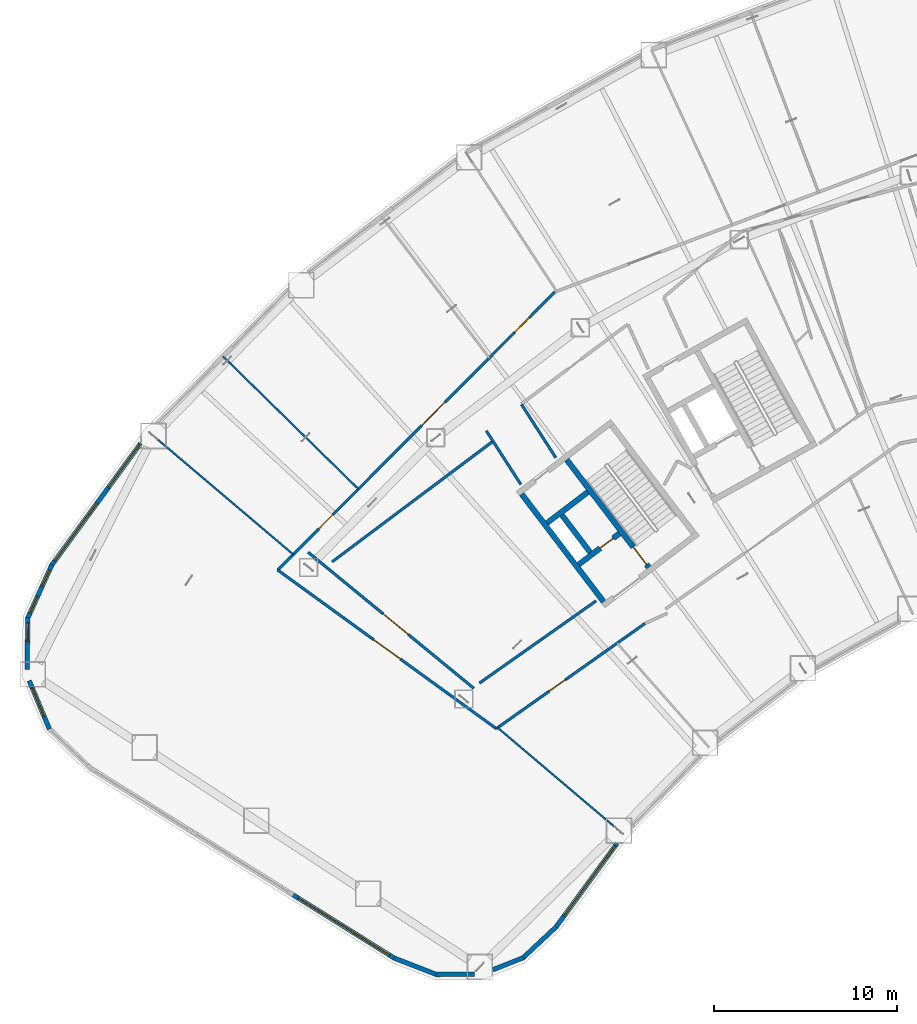
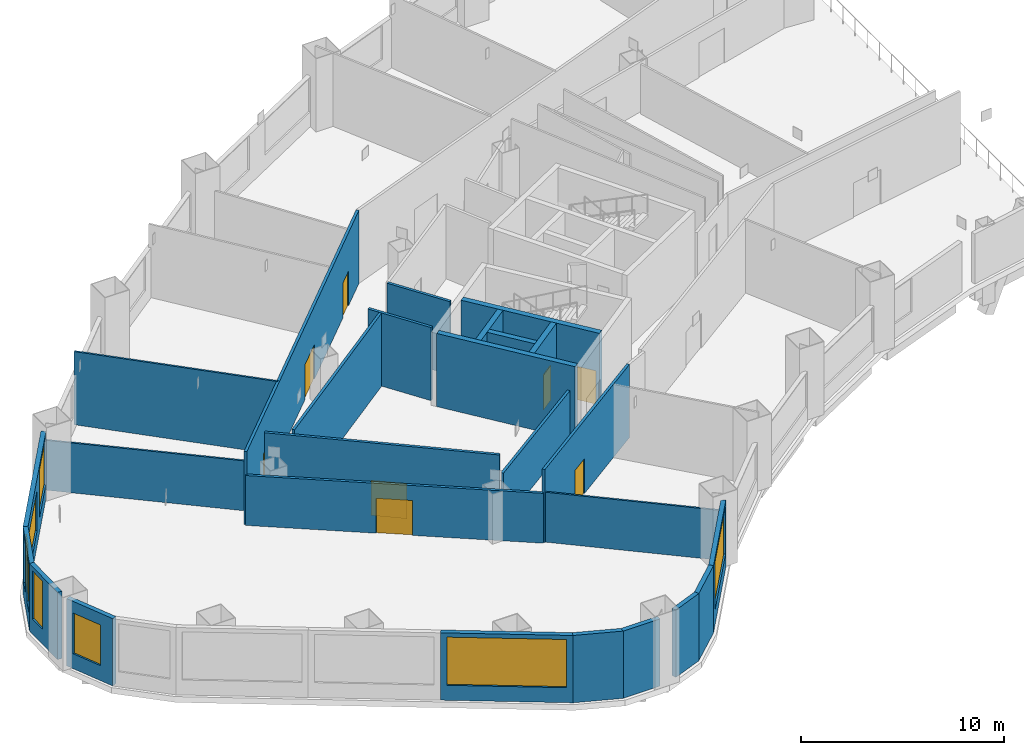
# One storey, part 6 of 24: 26 walls, 8 doors, 8 windows, 16 openings.
"""IFC4 building model written with IfcOpenShell, lengths in metres."""

from ifc_helpers import new_model, si_unit, direction, frame, frame_2d, origin, place, context, subcontext, project, spatial, rectangle, extrude, material, layer, layer_set, type_object, element, fill, save


model = new_model("IFC4")

# Units and contexts
model_context = context("Model", 3, precision=1e-05, world=origin(), true_north=direction((0.0, 1.0)))
body_context = subcontext(model_context, "Body", "Model", "MODEL_VIEW")
ifc_project = project(units=[si_unit("LENGTHUNIT", "METRE"), si_unit("AREAUNIT", "SQUARE_METRE"), si_unit("VOLUMEUNIT", "CUBIC_METRE"), si_unit("PLANEANGLEUNIT", "RADIAN"), si_unit("MASSUNIT", "GRAM", prefix="KILO")], contexts=[model_context])

# Site, building, storey
site_placement = place(None, origin())
site = spatial("IfcSite", under=ifc_project, at=site_placement, CompositionType="ELEMENT")
building_placement = place(site_placement, origin())
building = spatial("IfcBuilding", under=site, at=building_placement, Name="Tuul Gate Civic Tower", CompositionType="ELEMENT")
storey_placement = place(building_placement, frame((0.0, 0.0, 21.89990234375)))
storey = spatial("IfcBuildingStorey", under=building, at=storey_placement, Name="Level 04", CompositionType="ELEMENT", Elevation=21.89990234375)

# Wall, opening, door
ifc_material_1 = material(Name="Concrete C50/60", Category="concrete")
ifc_layer_1 = layer(ifc_material_1, 0.300048828125)
ifc_layer_set_1 = layer_set([ifc_layer_1], Name="Concrete C50/60")
wall_type_1 = type_object("IfcWallType", Name="Core wall C50/60", PredefinedType="SHEAR", material=ifc_layer_set_1)
wall_1_placement = place(storey_placement, frame((-35.470947265625, -13.66064453125, 0.0), z_axis=(0.0, 0.0, 1.0), x_axis=(-0.795615822227, -0.605801504968, 0.0)))
wall_1 = element("IfcWall", 1, at=wall_1_placement, inside=storey, type_object=wall_type_1, Name="Core wall", PredefinedType="SHEAR", context=body_context, shape_type="SweptSolid", body=[
    extrude(rectangle(XDim=2.800048828125, YDim=0.300048828125, at=frame_2d((1.39990234375, 0.0))), origin(), (0.0, 0.0, 1.0), 4.400146484375),
])
opening_1_placement = place(wall_1_placement, frame((0.425048828125, 0.0, 0.0)))
opening_1 = element("IfcOpeningElement", 2, at=opening_1_placement, cuts=wall_1, Name="Opening FB-W1A1", PredefinedType="OPENING", context=body_context, shape_type="SweptSolid", body=[
    extrude(rectangle(XDim=0.89990234375, YDim=2.10009765625, at=frame_2d((0.449951171875, 1.050048828125))), frame((0.0, 0.16015625, 0.0), z_axis=(0.0, -1.0, 0.0), x_axis=(1.0, 0.0, 0.0)), (0.0, 0.0, 1.0), 0.320068359375),
])
ifc_material_2 = material(Name="Steel", Category="steel")
door_type_1 = type_object("IfcDoorType", Name="Store door", OperationType="NOTDEFINED", PredefinedType="DOOR", material=ifc_material_2)
door_1_placement = place(opening_1_placement, frame((0.89990234375, 0.0, 0.0), z_axis=(0.0, 0.0, 1.0), x_axis=(-1.0, 0.0, 0.0)))
door_1 = element("IfcDoor", 3, at=door_1_placement, inside=storey, type_object=door_type_1, Name="Store door W1A1", OperationType="SINGLE_SWING_RIGHT", OverallHeight=2.10009765625, OverallWidth=0.89990234375, PredefinedType="DOOR", context=body_context, shape_type="SweptSolid", body=[
    extrude(rectangle(XDim=0.89990234375, YDim=2.10009765625, at=frame_2d((0.449951171875, 1.050048828125))), frame((0.0, 0.02490234375, 0.0), z_axis=(0.0, -1.0, 0.0), x_axis=(1.0, 0.0, 0.0)), (0.0, 0.0, 1.0), 0.050048828125),
])
fill(opening_1, door_1)

# Wall
wall_2_placement = place(storey_placement, frame((-37.197509765625, -11.39306640625, 0.0), z_axis=(0.0, 0.0, 1.0), x_axis=(-0.795583820278, -0.605843531707, 0.0)))
element("IfcWall", 4, at=wall_2_placement, inside=storey, type_object=wall_type_1, Name="Core wall", PredefinedType="SHEAR", context=body_context, shape_type="SweptSolid", body=[
    extrude(rectangle(XDim=2.7998046875, YDim=0.300048828125, at=frame_2d((1.39990234375, 0.0))), origin(), (0.0, 0.0, 1.0), 4.400146484375),
])

# Wall, opening, door
wall_3_placement = place(storey_placement, frame((-33.867431640625, -15.51904296875, 0.0), z_axis=(0.0, 0.0, 1.0), x_axis=(-0.605769822278, 0.795639945213, 0.0)))
wall_3 = element("IfcWall", 5, at=wall_3_placement, inside=storey, type_object=wall_type_1, Name="Core wall", PredefinedType="SHEAR", context=body_context, shape_type="SweptSolid", body=[
    extrude(rectangle(XDim=7.39990234375, YDim=0.300048828125, at=frame_2d((3.699951171875, 0.0))), origin(), (0.0, 0.0, 1.0), 4.400146484375),
])
opening_2_placement = place(wall_3_placement, frame((0.199951171875, 0.0, 0.0)))
opening_2 = element("IfcOpeningElement", 6, at=opening_2_placement, cuts=wall_3, Name="Opening SD-ST-1", PredefinedType="OPENING", context=body_context, shape_type="SweptSolid", body=[
    extrude(rectangle(XDim=1.199951171875, YDim=2.10009765625, at=frame_2d((0.60009765625, 1.050048828125))), frame((0.0, 0.16015625, 0.0), z_axis=(0.0, -1.0, 0.0), x_axis=(1.0, 0.0, 0.0)), (0.0, 0.0, 1.0), 0.320068359375),
])
ifc_material_3 = material(Name="Steel", Category="steel")
door_type_2 = type_object("IfcDoorType", Name="Stair door", OperationType="NOTDEFINED", PredefinedType="DOOR", material=ifc_material_3)
door_2_placement = place(opening_2_placement, origin())
door_2 = element("IfcDoor", 7, at=door_2_placement, inside=storey, type_object=door_type_2, Name="Stair door ST-1", OperationType="SINGLE_SWING_LEFT", OverallHeight=2.10009765625, OverallWidth=1.199951171875, PredefinedType="DOOR", context=body_context, shape_type="SweptSolid", body=[
    extrude(rectangle(XDim=1.199951171875, YDim=2.10009765625, at=frame_2d((0.60009765625, 1.050048828125))), frame((0.0, 0.02490234375, 0.0), z_axis=(0.0, -1.0, 0.0), x_axis=(1.0, 0.0, 0.0)), (0.0, 0.0, 1.0), 0.050048828125),
])
fill(opening_2, door_2)

# Walls
wall_4_placement = place(storey_placement, frame((-37.073486328125, -14.6923828125, 0.0), z_axis=(0.0, 0.0, 1.0), x_axis=(-0.605728760074, 0.79567120673, 0.0)))
element("IfcWall", 8, at=wall_4_placement, inside=storey, type_object=wall_type_1, Name="Core wall", PredefinedType="SHEAR", context=body_context, shape_type="SweptSolid", body=[
    extrude(rectangle(XDim=2.550048828125, YDim=0.300048828125, at=frame_2d((1.27490234375, 0.0))), origin(), (0.0, 0.0, 1.0), 4.400146484375),
])
wall_5_placement = place(storey_placement, frame((-36.333984375, -17.397216796875, 0.0), z_axis=(0.0, 0.0, 1.0), x_axis=(-0.605753921168, 0.795652051458, 0.0)))
element("IfcWall", 9, at=wall_5_placement, inside=storey, type_object=wall_type_1, Name="Core wall", PredefinedType="SHEAR", context=body_context, shape_type="SweptSolid", body=[
    extrude(rectangle(XDim=7.400146484375, YDim=0.300048828125, at=frame_2d((3.7001953125, 0.0))), origin(), (0.0, 0.0, 1.0), 4.400146484375),
])

# Wall, openings, doors
ifc_material_4 = material(Name="Gypsum board partition")
ifc_layer_2 = layer(ifc_material_4, 0.14990234375)
ifc_layer_set_2 = layer_set([ifc_layer_2], Name="Gypsum board partition")
wall_type_2 = type_object("IfcWallType", Name="Corridor wall P150", PredefinedType="PARTITIONING", material=ifc_layer_set_2)
wall_6_placement = place(storey_placement, frame((-54.1650390625, -15.660888671875, 0.0), z_axis=(0.0, 0.0, 1.0), x_axis=(0.706014515471, 0.708197362282, 0.0)))
wall_6 = element("IfcWall", 10, at=wall_6_placement, inside=storey, type_object=wall_type_2, Name="p023", PredefinedType="PARTITIONING", context=body_context, shape_type="SweptSolid", body=[
    extrude(rectangle(XDim=21.474365234375, YDim=0.14990234375, at=frame_2d((10.7373046875, 0.0))), origin(), (0.0, 0.0, 1.0), 4.400146484375),
])
opening_3_placement = place(wall_6_placement, frame((18.380615234375, 0.0, 0.0)))
opening_3 = element("IfcOpeningElement", 11, at=opening_3_placement, cuts=wall_6, Name="Opening QD-D10", PredefinedType="OPENING", context=body_context, shape_type="SweptSolid", body=[
    extrude(rectangle(XDim=1.10009765625, YDim=2.10009765625, at=frame_2d((0.550048828125, 1.050048828125))), frame((0.0, 0.0849609375, 0.0), z_axis=(0.0, -1.0, 0.0), x_axis=(1.0, 0.0, 0.0)), (0.0, 0.0, 1.0), 0.169921875),
])
opening_4_placement = place(wall_6_placement, frame((11.169921875, 0.0, 0.0)))
opening_4 = element("IfcOpeningElement", 12, at=opening_4_placement, cuts=wall_6, Name="Opening QD-D11", PredefinedType="OPENING", context=body_context, shape_type="SweptSolid", body=[
    extrude(rectangle(XDim=1.800048828125, YDim=2.10009765625, at=frame_2d((0.89990234375, 1.050048828125))), frame((0.0, 0.0849609375, 0.0), z_axis=(0.0, -1.0, 0.0), x_axis=(1.0, 0.0, 0.0)), (0.0, 0.0, 1.0), 0.169921875),
])
opening_5_placement = place(wall_6_placement, frame((3.1787109375, 0.0, 0.0)))
opening_5 = element("IfcOpeningElement", 13, at=opening_5_placement, cuts=wall_6, Name="Opening QD-D12", PredefinedType="OPENING", context=body_context, shape_type="SweptSolid", body=[
    extrude(rectangle(XDim=1.10009765625, YDim=2.10009765625, at=frame_2d((0.550048828125, 1.050048828125))), frame((0.0, 0.0849609375, 0.0), z_axis=(0.0, -1.0, 0.0), x_axis=(1.0, 0.0, 0.0)), (0.0, 0.0, 1.0), 0.169921875),
])
ifc_material_5 = material(Name="Timber door leaf", Category="wood")
door_type_3 = type_object("IfcDoorType", Name="Door D11", OperationType="NOTDEFINED", PredefinedType="DOOR", material=ifc_material_5)
door_3_placement = place(opening_3_placement, origin())
door_3 = element("IfcDoor", 14, at=door_3_placement, inside=storey, type_object=door_type_3, Name="Door QD-D10", OperationType="SINGLE_SWING_RIGHT", OverallHeight=2.10009765625, OverallWidth=1.10009765625, PredefinedType="DOOR", context=body_context, shape_type="SweptSolid", body=[
    extrude(rectangle(XDim=1.10009765625, YDim=2.10009765625, at=frame_2d((0.550048828125, 1.050048828125))), frame((0.0, 0.02490234375, 0.0), z_axis=(0.0, -1.0, 0.0), x_axis=(1.0, 0.0, 0.0)), (0.0, 0.0, 1.0), 0.050048828125),
])
fill(opening_3, door_3)
door_4_placement = place(opening_5_placement, origin())
door_4 = element("IfcDoor", 15, at=door_4_placement, inside=storey, type_object=door_type_3, Name="Door QD-D12", OperationType="SINGLE_SWING_RIGHT", OverallHeight=2.10009765625, OverallWidth=1.10009765625, PredefinedType="DOOR", context=body_context, shape_type="SweptSolid", body=[
    extrude(rectangle(XDim=1.10009765625, YDim=2.10009765625, at=frame_2d((0.550048828125, 1.050048828125))), frame((0.0, 0.02490234375, 0.0), z_axis=(0.0, -1.0, 0.0), x_axis=(1.0, 0.0, 0.0)), (0.0, 0.0, 1.0), 0.050048828125),
])
fill(opening_5, door_4)
ifc_material_6 = material(Name="Timber door leaf, double", Category="wood")
door_type_4 = type_object("IfcDoorType", Name="Door D18", OperationType="DOUBLE_DOOR_SINGLE_SWING", PredefinedType="DOOR", material=ifc_material_6)
door_5_placement = place(opening_4_placement, origin())
door_5 = element("IfcDoor", 16, at=door_5_placement, inside=storey, type_object=door_type_4, Name="Door QD-D11", OperationType="DOUBLE_DOOR_SINGLE_SWING", OverallHeight=2.10009765625, OverallWidth=1.800048828125, PredefinedType="DOOR", context=body_context, shape_type="SweptSolid", body=[
    extrude(rectangle(XDim=1.800048828125, YDim=2.10009765625, at=frame_2d((0.89990234375, 1.050048828125))), frame((0.0, 0.02490234375, 0.0), z_axis=(0.0, -1.0, 0.0), x_axis=(1.0, 0.0, 0.0)), (0.0, 0.0, 1.0), 0.050048828125),
])
fill(opening_4, door_5)

# Wall, opening, door
wall_7_placement = place(storey_placement, frame((-42.20703125, -24.337646484375, 0.0), z_axis=(0.0, 0.0, 1.0), x_axis=(0.816475353735, 0.577380287803, 0.0)))
wall_7 = element("IfcWall", 17, at=wall_7_placement, inside=storey, type_object=wall_type_2, Name="p028", PredefinedType="PARTITIONING", context=body_context, shape_type="SweptSolid", body=[
    extrude(rectangle(XDim=9.966064453125, YDim=0.14990234375, at=frame_2d((4.98291015625, 0.0))), origin(), (0.0, 0.0, 1.0), 4.400146484375),
])
opening_6_placement = place(wall_7_placement, frame((3.54248046875, 0.0, 0.0)))
opening_6 = element("IfcOpeningElement", 18, at=opening_6_placement, cuts=wall_7, Name="Opening QD-D20", PredefinedType="OPENING", context=body_context, shape_type="SweptSolid", body=[
    extrude(rectangle(XDim=1.10009765625, YDim=2.10009765625, at=frame_2d((0.550048828125, 1.050048828125))), frame((0.0, 0.0849609375, 0.0), z_axis=(0.0, -1.0, 0.0), x_axis=(1.0, 0.0, 0.0)), (0.0, 0.0, 1.0), 0.169921875),
])
door_6_placement = place(opening_6_placement, frame((1.10009765625, 0.0, 0.0), z_axis=(0.0, 0.0, 1.0), x_axis=(-1.0, 0.0, 0.0)))
door_6 = element("IfcDoor", 19, at=door_6_placement, inside=storey, type_object=door_type_3, Name="Door QD-D20", OperationType="SINGLE_SWING_LEFT", OverallHeight=2.10009765625, OverallWidth=1.10009765625, PredefinedType="DOOR", context=body_context, shape_type="SweptSolid", body=[
    extrude(rectangle(XDim=1.10009765625, YDim=2.10009765625, at=frame_2d((0.550048828125, 1.050048828125))), frame((0.0, 0.02490234375, 0.0), z_axis=(0.0, -1.0, 0.0), x_axis=(1.0, 0.0, 0.0)), (0.0, 0.0, 1.0), 0.050048828125),
])
fill(opening_6, door_6)

# Walls
wall_8_placement = place(storey_placement, frame((-51.18505859375, -15.2119140625, 0.0), z_axis=(0.0, 0.0, 1.0), x_axis=(0.80010361868, 0.5998618169, 0.0)))
element("IfcWall", 20, at=wall_8_placement, inside=storey, type_object=wall_type_2, Name="p074", PredefinedType="PARTITIONING", context=body_context, shape_type="SweptSolid", body=[
    extrude(rectangle(XDim=11.025390625, YDim=0.14990234375, at=frame_2d((5.5126953125, 0.0))), origin(), (0.0, 0.0, 1.0), 4.400146484375),
])
wall_9_placement = place(storey_placement, frame((-40.830078125, -6.59765625, 0.0), z_axis=(0.0, 0.0, 1.0), x_axis=(0.541158653856, -0.840920514292, 0.0)))
element("IfcWall", 21, at=wall_9_placement, inside=storey, type_object=wall_type_2, Name="p077", PredefinedType="PARTITIONING", context=body_context, shape_type="SweptSolid", body=[
    extrude(rectangle(XDim=3.47607421875, YDim=0.14990234375, at=frame_2d((1.738037109375, 0.0))), origin(), (0.0, 0.0, 1.0), 4.400146484375),
])

# Wall, opening, door
wall_10_placement = place(storey_placement, frame((-52.505859375, -14.68408203125, 0.0), z_axis=(0.0, 0.0, 1.0), x_axis=(0.772819885222, -0.63462542102, 0.0)))
wall_10 = element("IfcWall", 22, at=wall_10_placement, inside=storey, type_object=wall_type_2, Name="p081", PredefinedType="PARTITIONING", context=body_context, shape_type="SweptSolid", body=[
    extrude(rectangle(XDim=11.737548828125, YDim=0.14990234375, at=frame_2d((5.86865234375, 0.0))), origin(), (0.0, 0.0, 1.0), 4.400146484375),
])
opening_7_placement = place(wall_10_placement, frame((5.306396484375, 0.0, 0.0)))
opening_7 = element("IfcOpeningElement", 23, at=opening_7_placement, cuts=wall_10, Name="Opening QD-D33", PredefinedType="OPENING", context=body_context, shape_type="SweptSolid", body=[
    extrude(rectangle(XDim=1.800048828125, YDim=2.10009765625, at=frame_2d((0.89990234375, 1.050048828125))), frame((0.0, 0.0849609375, 0.0), z_axis=(0.0, -1.0, 0.0), x_axis=(1.0, 0.0, 0.0)), (0.0, 0.0, 1.0), 0.169921875),
])
door_7_placement = place(opening_7_placement, origin())
door_7 = element("IfcDoor", 24, at=door_7_placement, inside=storey, type_object=door_type_4, Name="Door QD-D33", OperationType="DOUBLE_DOOR_SINGLE_SWING", OverallHeight=2.10009765625, OverallWidth=1.800048828125, PredefinedType="DOOR", context=body_context, shape_type="SweptSolid", body=[
    extrude(rectangle(XDim=1.800048828125, YDim=2.10009765625, at=frame_2d((0.89990234375, 1.050048828125))), frame((0.0, 0.02490234375, 0.0), z_axis=(0.0, -1.0, 0.0), x_axis=(1.0, 0.0, 0.0)), (0.0, 0.0, 1.0), 0.050048828125),
])
fill(opening_7, door_7)

# Wall
wall_11_placement = place(storey_placement, frame((-42.75390625, -8.04345703125, 0.0), z_axis=(0.0, 0.0, 1.0), x_axis=(0.541188602088, -0.840901240914, 0.0)))
element("IfcWall", 25, at=wall_11_placement, inside=storey, type_object=wall_type_2, Name="p082", PredefinedType="PARTITIONING", context=body_context, shape_type="SweptSolid", body=[
    extrude(rectangle(XDim=3.4921875, YDim=0.14990234375, at=frame_2d((1.74609375, 0.0))), origin(), (0.0, 0.0, 1.0), 4.400146484375),
])

# Wall, opening, door
ifc_material_7 = material(Name="Gypsum board partition")
ifc_layer_3 = layer(ifc_material_7, 0.14990234375)
ifc_layer_set_3 = layer_set([ifc_layer_3], Name="Gypsum board partition")
wall_type_3 = type_object("IfcWallType", Name="Corridor wall P150 3000 HIGH", PredefinedType="PARTITIONING", material=ifc_layer_set_3)
wall_12_placement = place(storey_placement, frame((-54.1650390625, -15.660888671875, 0.0), z_axis=(0.0, 0.0, 1.0), x_axis=(0.809378723447, -0.587287052497, 0.0)))
wall_12 = element("IfcWall", 26, at=wall_12_placement, inside=storey, type_object=wall_type_3, Name="p027", PredefinedType="PARTITIONING", context=body_context, shape_type="SweptSolid", body=[
    extrude(rectangle(XDim=14.7744140625, YDim=0.14990234375, at=frame_2d((7.38720703125, 0.0))), origin(), (0.0, 0.0, 1.0), 3.0),
])
opening_8_placement = place(wall_12_placement, frame((6.487060546875, 0.0, 0.0)))
opening_8 = element("IfcOpeningElement", 27, at=opening_8_placement, cuts=wall_12, Name="Opening QD-D13", PredefinedType="OPENING", context=body_context, shape_type="SweptSolid", body=[
    extrude(rectangle(XDim=1.800048828125, YDim=2.10009765625, at=frame_2d((0.89990234375, 1.050048828125))), frame((0.0, 0.0849609375, 0.0), z_axis=(0.0, -1.0, 0.0), x_axis=(1.0, 0.0, 0.0)), (0.0, 0.0, 1.0), 0.169921875),
])
door_8_placement = place(opening_8_placement, frame((1.800048828125, 0.0, 0.0), z_axis=(0.0, 0.0, 1.0), x_axis=(-1.0, 0.0, 0.0)))
door_8 = element("IfcDoor", 28, at=door_8_placement, inside=storey, type_object=door_type_4, Name="Door QD-D13", OperationType="DOUBLE_DOOR_SINGLE_SWING", OverallHeight=2.10009765625, OverallWidth=1.800048828125, PredefinedType="DOOR", context=body_context, shape_type="SweptSolid", body=[
    extrude(rectangle(XDim=1.800048828125, YDim=2.10009765625, at=frame_2d((0.900146484375, 1.050048828125))), frame((0.0, 0.02490234375, 0.0), z_axis=(0.0, -1.0, 0.0), x_axis=(1.0, 0.0, 0.0)), (0.0, 0.0, 1.0), 0.050048828125),
])
fill(opening_8, door_8)

# Wall
wall_13_placement = place(storey_placement, frame((-43.12890625, -21.847412109375, 0.0), z_axis=(0.0, 0.0, 1.0), x_axis=(0.817320439306, 0.576183390504, 0.0)))
element("IfcWall", 29, at=wall_13_placement, inside=storey, type_object=wall_type_3, Name="p067", PredefinedType="PARTITIONING", context=body_context, shape_type="SweptSolid", body=[
    extrude(rectangle(XDim=7.80712890625, YDim=0.14990234375, at=frame_2d((3.903564453125, 0.0))), origin(), (0.0, 0.0, 1.0), 3.0),
])

# Wall, openings, windows
ifc_material_8 = material(Name="Precast concrete C40/50", Category="concrete")
ifc_layer_4 = layer(ifc_material_8, 0.25)
ifc_layer_set_4 = layer_set([ifc_layer_4], Name="Precast concrete C40/50")
wall_type_4 = type_object("IfcWallType", Name="External wall", PredefinedType="STANDARD", material=ifc_layer_set_4)
wall_14_placement = place(storey_placement, frame((-61.660888671875, -8.7353515625, 0.0), z_axis=(0.0, 0.0, 1.0), x_axis=(-0.589883240256, -0.807488552777, 0.0)))
wall_14 = element("IfcWall", 30, at=wall_14_placement, inside=storey, type_object=wall_type_4, Name="External wall", PredefinedType="STANDARD", context=body_context, shape_type="SweptSolid", body=[
    extrude(rectangle(XDim=8.26318359375, YDim=0.25, at=frame_2d((4.131591796875, 0.0))), origin(), (0.0, 0.0, 1.0), 4.050048828125),
])
opening_9_placement = place(wall_14_placement, frame((0.0859375, 0.0, 0.89990234375)))
opening_9 = element("IfcOpeningElement", 31, at=opening_9_placement, cuts=wall_14, Name="Opening W83", PredefinedType="OPENING", context=body_context, shape_type="SweptSolid", body=[
    extrude(rectangle(XDim=2.89990234375, YDim=2.89990234375, at=frame_2d((1.449951171875, 1.449951171875))), frame((0.0, 0.135009765625, 0.0), z_axis=(0.0, -1.0, 0.0), x_axis=(1.0, 0.0, 0.0)), (0.0, 0.0, 1.0), 0.27001953125),
])
opening_10_placement = place(wall_14_placement, frame((4.053955078125, 0.0, 0.89990234375)))
opening_10 = element("IfcOpeningElement", 32, at=opening_10_placement, cuts=wall_14, Name="Opening W137", PredefinedType="OPENING", context=body_context, shape_type="SweptSolid", body=[
    extrude(rectangle(XDim=3.89990234375, YDim=2.449951171875, at=frame_2d((1.949951171875, 1.22509765625))), frame((0.0, 0.135009765625, 0.0), z_axis=(0.0, -1.0, 0.0), x_axis=(1.0, 0.0, 0.0)), (0.0, 0.0, 1.0), 0.27001953125),
])
ifc_material_9 = material(Name="Glass", Category="glass")
window_type_1 = type_object("IfcWindowType", Name="Window W137 3900 x 2450", PartitioningType="SINGLE_PANEL", PredefinedType="WINDOW", material=ifc_material_9)
window_1_placement = place(opening_10_placement, origin())
window_1 = element("IfcWindow", 33, at=window_1_placement, inside=storey, type_object=window_type_1, Name="Window", OverallHeight=2.449951171875, OverallWidth=3.89990234375, PartitioningType="SINGLE_PANEL", PredefinedType="WINDOW", context=body_context, shape_type="SweptSolid", body=[
    extrude(rectangle(XDim=3.89990234375, YDim=2.449951171875, at=frame_2d((1.949951171875, 1.22509765625))), frame((0.0, 0.030029296875, 0.0), z_axis=(0.0, -1.0, 0.0), x_axis=(1.0, 0.0, 0.0)), (0.0, 0.0, 1.0), 0.06005859375),
])
fill(opening_10, window_1)
ifc_material_10 = material(Name="Glass", Category="glass")
window_type_2 = type_object("IfcWindowType", Name="Window W83 2900 x 2900", PartitioningType="SINGLE_PANEL", PredefinedType="WINDOW", material=ifc_material_10)
window_2_placement = place(opening_9_placement, origin())
window_2 = element("IfcWindow", 34, at=window_2_placement, inside=storey, type_object=window_type_2, Name="Window", OverallHeight=2.89990234375, OverallWidth=2.89990234375, PartitioningType="SINGLE_PANEL", PredefinedType="WINDOW", context=body_context, shape_type="SweptSolid", body=[
    extrude(rectangle(XDim=2.89990234375, YDim=2.89990234375, at=frame_2d((1.449951171875, 1.449951171875))), frame((0.0, 0.030029296875, 0.0), z_axis=(0.0, -1.0, 0.0), x_axis=(1.0, 0.0, 0.0)), (0.0, 0.0, 1.0), 0.06005859375),
])
fill(opening_9, window_2)

wall_15_placement = place(storey_placement, frame((-66.522216796875, -15.385498046875, 0.0), z_axis=(0.0, 0.0, 1.0), x_axis=(-0.412481289983, -0.910966072592, 0.0)))
wall_15 = element("IfcWall", 35, at=wall_15_placement, inside=storey, type_object=wall_type_4, Name="External wall", PredefinedType="STANDARD", context=body_context, shape_type="SweptSolid", body=[
    extrude(rectangle(XDim=3.2021484375, YDim=0.25, at=frame_2d((1.60107421875, 0.0))), origin(), (0.0, 0.0, 1.0), 4.050048828125),
])
opening_11_placement = place(wall_15_placement, frame((0.300537109375, 0.0, 0.89990234375)))
opening_11 = element("IfcOpeningElement", 36, at=opening_11_placement, cuts=wall_15, Name="Opening W10", PredefinedType="OPENING", context=body_context, shape_type="SweptSolid", body=[
    extrude(rectangle(XDim=1.0, YDim=2.89990234375, at=frame_2d((0.5, 1.449951171875))), frame((0.0, 0.135009765625, 0.0), z_axis=(0.0, -1.0, 0.0), x_axis=(1.0, 0.0, 0.0)), (0.0, 0.0, 1.0), 0.27001953125),
])
opening_12_placement = place(wall_15_placement, frame((1.901611328125, 0.0, 0.89990234375)))
opening_12 = element("IfcOpeningElement", 37, at=opening_12_placement, cuts=wall_15, Name="Opening W10", PredefinedType="OPENING", context=body_context, shape_type="SweptSolid", body=[
    extrude(rectangle(XDim=1.0, YDim=2.89990234375, at=frame_2d((0.5, 1.449951171875))), frame((0.0, 0.135009765625, 0.0), z_axis=(0.0, -1.0, 0.0), x_axis=(1.0, 0.0, 0.0)), (0.0, 0.0, 1.0), 0.27001953125),
])
ifc_material_11 = material(Name="Glass", Category="glass")
window_type_3 = type_object("IfcWindowType", Name="Window W10 1000 x 2900", PartitioningType="SINGLE_PANEL", PredefinedType="WINDOW", material=ifc_material_11)
window_3_placement = place(opening_11_placement, origin())
window_3 = element("IfcWindow", 38, at=window_3_placement, inside=storey, type_object=window_type_3, Name="Window", OverallHeight=2.89990234375, OverallWidth=1.0, PartitioningType="SINGLE_PANEL", PredefinedType="WINDOW", context=body_context, shape_type="SweptSolid", body=[
    extrude(rectangle(XDim=1.0, YDim=2.89990234375, at=frame_2d((0.5, 1.449951171875))), frame((0.0, 0.030029296875, 0.0), z_axis=(0.0, -1.0, 0.0), x_axis=(1.0, 0.0, 0.0)), (0.0, 0.0, 1.0), 0.06005859375),
])
fill(opening_11, window_3)
window_4_placement = place(opening_12_placement, origin())
window_4 = element("IfcWindow", 39, at=window_4_placement, inside=storey, type_object=window_type_3, Name="Window", OverallHeight=2.89990234375, OverallWidth=1.0, PartitioningType="SINGLE_PANEL", PredefinedType="WINDOW", context=body_context, shape_type="SweptSolid", body=[
    extrude(rectangle(XDim=1.0, YDim=2.89990234375, at=frame_2d((0.5, 1.449951171875))), frame((0.0, 0.030029296875, 0.0), z_axis=(0.0, -1.0, 0.0), x_axis=(1.0, 0.0, 0.0)), (0.0, 0.0, 1.0), 0.06005859375),
])
fill(opening_12, window_4)

# Wall, opening, window
wall_16_placement = place(storey_placement, frame((-67.83203125, -18.2529296875, 0.0), z_axis=(0.0, 0.0, 1.0), x_axis=(-0.014676530666, -0.999892293924, 0.0)))
wall_16 = element("IfcWall", 40, at=wall_16_placement, inside=storey, type_object=wall_type_4, Name="External wall", PredefinedType="STANDARD", context=body_context, shape_type="SweptSolid", body=[
    extrude(rectangle(XDim=2.844482421875, YDim=0.25, at=frame_2d((1.42236328125, 0.0))), origin(), (0.0, 0.0, 1.0), 4.050048828125),
])
opening_13_placement = place(wall_16_placement, frame((0.300537109375, 0.0, 0.89990234375)))
opening_13 = element("IfcOpeningElement", 41, at=opening_13_placement, cuts=wall_16, Name="Opening W10", PredefinedType="OPENING", context=body_context, shape_type="SweptSolid", body=[
    extrude(rectangle(XDim=1.0, YDim=2.89990234375, at=frame_2d((0.5, 1.449951171875))), frame((0.0, 0.135009765625, 0.0), z_axis=(0.0, -1.0, 0.0), x_axis=(1.0, 0.0, 0.0)), (0.0, 0.0, 1.0), 0.27001953125),
])
window_5_placement = place(opening_13_placement, origin())
window_5 = element("IfcWindow", 42, at=window_5_placement, inside=storey, type_object=window_type_3, Name="Window", OverallHeight=2.89990234375, OverallWidth=1.0, PartitioningType="SINGLE_PANEL", PredefinedType="WINDOW", context=body_context, shape_type="SweptSolid", body=[
    extrude(rectangle(XDim=1.0, YDim=2.89990234375, at=frame_2d((0.5, 1.449951171875))), frame((0.0, 0.030029296875, 0.0), z_axis=(0.0, -1.0, 0.0), x_axis=(1.0, 0.0, 0.0)), (0.0, 0.0, 1.0), 0.06005859375),
])
fill(opening_13, window_5)

wall_17_placement = place(storey_placement, frame((-67.75830078125, -21.716552734375, 0.0), z_axis=(0.0, 0.0, 1.0), x_axis=(0.385734891678, -0.92260966467, 0.0)))
wall_17 = element("IfcWall", 43, at=wall_17_placement, inside=storey, type_object=wall_type_4, Name="External wall", PredefinedType="STANDARD", context=body_context, shape_type="SweptSolid", body=[
    extrude(rectangle(XDim=2.864013671875, YDim=0.25, at=frame_2d((1.43212890625, 0.0))), origin(), (0.0, 0.0, 1.0), 4.050048828125),
])
opening_14_placement = place(wall_17_placement, frame((0.4130859375, 0.0, 0.89990234375)))
opening_14 = element("IfcOpeningElement", 44, at=opening_14_placement, cuts=wall_17, Name="Opening W136", PredefinedType="OPENING", context=body_context, shape_type="SweptSolid", body=[
    extrude(rectangle(XDim=1.699951171875, YDim=2.449951171875, at=frame_2d((0.85009765625, 1.22509765625))), frame((0.0, 0.135009765625, 0.0), z_axis=(0.0, -1.0, 0.0), x_axis=(1.0, 0.0, 0.0)), (0.0, 0.0, 1.0), 0.27001953125),
])
ifc_material_12 = material(Name="Glass", Category="glass")
window_type_4 = type_object("IfcWindowType", Name="Window W136 1700 x 2450", PartitioningType="SINGLE_PANEL", PredefinedType="WINDOW", material=ifc_material_12)
window_6_placement = place(opening_14_placement, origin())
window_6 = element("IfcWindow", 45, at=window_6_placement, inside=storey, type_object=window_type_4, Name="Window", OverallHeight=2.449951171875, OverallWidth=1.699951171875, PartitioningType="SINGLE_PANEL", PredefinedType="WINDOW", context=body_context, shape_type="SweptSolid", body=[
    extrude(rectangle(XDim=1.699951171875, YDim=2.449951171875, at=frame_2d((0.85009765625, 1.22509765625))), frame((0.0, 0.030029296875, 0.0), z_axis=(0.0, -1.0, 0.0), x_axis=(1.0, 0.0, 0.0)), (0.0, 0.0, 1.0), 0.06005859375),
])
fill(opening_14, window_6)

wall_18_placement = place(storey_placement, frame((-53.315185546875, -33.435546875, 0.0), z_axis=(0.0, 0.0, 1.0), x_axis=(0.848025609636, -0.529955248489, 0.0)))
wall_18 = element("IfcWall", 46, at=wall_18_placement, inside=storey, type_object=wall_type_4, Name="External wall", PredefinedType="STANDARD", context=body_context, shape_type="SweptSolid", body=[
    extrude(rectangle(XDim=6.52978515625, YDim=0.25, at=frame_2d((3.264892578125, 0.0))), origin(), (0.0, 0.0, 1.0), 4.050048828125),
])
opening_15_placement = place(wall_18_placement, frame((0.314697265625, 0.0, 0.89990234375)))
opening_15 = element("IfcOpeningElement", 47, at=opening_15_placement, cuts=wall_18, Name="Opening W14", PredefinedType="OPENING", context=body_context, shape_type="SweptSolid", body=[
    extrude(rectangle(XDim=5.89990234375, YDim=2.89990234375, at=frame_2d((2.949951171875, 1.449951171875))), frame((0.0, 0.135009765625, 0.0), z_axis=(0.0, -1.0, 0.0), x_axis=(1.0, 0.0, 0.0)), (0.0, 0.0, 1.0), 0.27001953125),
])
ifc_material_13 = material(Name="Glass", Category="glass")
window_type_5 = type_object("IfcWindowType", Name="Window W14 5900 x 2900", PartitioningType="SINGLE_PANEL", PredefinedType="WINDOW", material=ifc_material_13)
window_7_placement = place(opening_15_placement, origin())
window_7 = element("IfcWindow", 48, at=window_7_placement, inside=storey, type_object=window_type_5, Name="Window", OverallHeight=2.89990234375, OverallWidth=5.89990234375, PartitioningType="SINGLE_PANEL", PredefinedType="WINDOW", context=body_context, shape_type="SweptSolid", body=[
    extrude(rectangle(XDim=5.89990234375, YDim=2.89990234375, at=frame_2d((2.949951171875, 1.449951171875))), frame((0.0, 0.030029296875, 0.0), z_axis=(0.0, -1.0, 0.0), x_axis=(1.0, 0.0, 0.0)), (0.0, 0.0, 1.0), 0.06005859375),
])
fill(opening_15, window_7)

# Walls
wall_19_placement = place(storey_placement, frame((-47.798583984375, -36.885498046875, 0.0), z_axis=(0.0, 0.0, 1.0), x_axis=(0.931986397936, -0.36249324692, 0.0)))
element("IfcWall", 49, at=wall_19_placement, inside=storey, type_object=wall_type_4, Name="External wall", PredefinedType="STANDARD", context=body_context, shape_type="SweptSolid", body=[
    extrude(rectangle(XDim=2.507568359375, YDim=0.25, at=frame_2d((1.25390625, 0.0))), origin(), (0.0, 0.0, 1.0), 4.050048828125),
])
wall_20_placement = place(storey_placement, frame((-45.50732421875, -37.785888671875, 0.0), z_axis=(0.0, 0.0, 1.0), x_axis=(0.999995085421, 0.003135144834, 0.0)))
element("IfcWall", 50, at=wall_20_placement, inside=storey, type_object=wall_type_4, Name="External wall", PredefinedType="STANDARD", context=body_context, shape_type="SweptSolid", body=[
    extrude(rectangle(XDim=2.1025390625, YDim=0.25, at=frame_2d((1.05126953125, 0.0))), origin(), (0.0, 0.0, 1.0), 4.050048828125),
])
wall_21_placement = place(storey_placement, frame((-42.403076171875, -37.531005859375, 0.0), z_axis=(0.0, 0.0, 1.0), x_axis=(0.929466539536, 0.368906427001, 0.0)))
element("IfcWall", 51, at=wall_21_placement, inside=storey, type_object=wall_type_4, Name="External wall", PredefinedType="STANDARD", context=body_context, shape_type="SweptSolid", body=[
    extrude(rectangle(XDim=1.81396484375, YDim=0.25, at=frame_2d((0.906982421875, 0.0))), origin(), (0.0, 0.0, 1.0), 4.050048828125),
])
wall_22_placement = place(storey_placement, frame((-40.75634765625, -36.88671875, 0.0), z_axis=(0.0, 0.0, 1.0), x_axis=(0.729855985574, 0.683600936455, 0.0)))
element("IfcWall", 52, at=wall_22_placement, inside=storey, type_object=wall_type_4, Name="External wall", PredefinedType="STANDARD", context=body_context, shape_type="SweptSolid", body=[
    extrude(rectangle(XDim=2.507080078125, YDim=0.25, at=frame_2d((1.25341796875, 0.0))), origin(), (0.0, 0.0, 1.0), 4.050048828125),
])

# Wall, opening, window
wall_23_placement = place(storey_placement, frame((-38.94189453125, -35.190185546875, 0.0), z_axis=(0.0, 0.0, 1.0), x_axis=(0.589744217154, 0.807590093013, 0.0)))
wall_23 = element("IfcWall", 53, at=wall_23_placement, inside=storey, type_object=wall_type_4, Name="External wall", PredefinedType="STANDARD", context=body_context, shape_type="SweptSolid", body=[
    extrude(rectangle(XDim=5.6640625, YDim=0.25, at=frame_2d((2.83203125, 0.0))), origin(), (0.0, 0.0, 1.0), 4.050048828125),
])
opening_16_placement = place(wall_23_placement, frame((0.755859375, 0.0, 0.89990234375)))
opening_16 = element("IfcOpeningElement", 54, at=opening_16_placement, cuts=wall_23, Name="Opening W17", PredefinedType="OPENING", context=body_context, shape_type="SweptSolid", body=[
    extrude(rectangle(XDim=4.75, YDim=2.89990234375, at=frame_2d((2.375, 1.449951171875))), frame((0.0, 0.135009765625, 0.0), z_axis=(0.0, -1.0, 0.0), x_axis=(1.0, 0.0, 0.0)), (0.0, 0.0, 1.0), 0.27001953125),
])
ifc_material_14 = material(Name="Glass", Category="glass")
window_type_6 = type_object("IfcWindowType", Name="Window W17 4750 x 2900", PartitioningType="SINGLE_PANEL", PredefinedType="WINDOW", material=ifc_material_14)
window_8_placement = place(opening_16_placement, origin())
window_8 = element("IfcWindow", 55, at=window_8_placement, inside=storey, type_object=window_type_6, Name="Window", OverallHeight=2.89990234375, OverallWidth=4.75, PartitioningType="SINGLE_PANEL", PredefinedType="WINDOW", context=body_context, shape_type="SweptSolid", body=[
    extrude(rectangle(XDim=4.75, YDim=2.89990234375, at=frame_2d((2.375, 1.449951171875))), frame((0.0, 0.030029296875, 0.0), z_axis=(0.0, -1.0, 0.0), x_axis=(1.0, 0.0, 0.0)), (0.0, 0.0, 1.0), 0.06005859375),
])
fill(opening_16, window_8)

# Walls
ifc_material_15 = material(Name="Gypsum board partition")
ifc_layer_5 = layer(ifc_material_15, 0.10009765625)
ifc_layer_set_5 = layer_set([ifc_layer_5], Name="Gypsum board partition")
wall_type_5 = type_object("IfcWallType", Name="Partition P100", PredefinedType="PARTITIONING", material=ifc_layer_set_5)
wall_24_placement = place(storey_placement, frame((-57.155029296875, -3.973876953125, 0.0), z_axis=(0.0, 0.0, 1.0), x_axis=(0.714134917594, -0.700008085292, 0.0)))
element("IfcWall", 56, at=wall_24_placement, inside=storey, type_object=wall_type_5, Name="p024", PredefinedType="PARTITIONING", context=body_context, shape_type="SweptSolid", body=[
    extrude(rectangle(XDim=10.369140625, YDim=0.10009765625, at=frame_2d((5.1845703125, 0.0))), origin(), (0.0, 0.0, 1.0), 4.400146484375),
])
ifc_material_16 = material(Name="Gypsum board partition")
ifc_layer_6 = layer(ifc_material_16, 0.10009765625)
ifc_layer_set_6 = layer_set([ifc_layer_6], Name="Gypsum board partition")
wall_type_6 = type_object("IfcWallType", Name="Partition P100 3000 HIGH", PredefinedType="PARTITIONING", material=ifc_layer_set_6)
wall_25_placement = place(storey_placement, frame((-61.213134765625, -8.11376953125, 0.0), z_axis=(0.0, 0.0, 1.0), x_axis=(0.762838628558, -0.646588916376, 0.0)))
element("IfcWall", 57, at=wall_25_placement, inside=storey, type_object=wall_type_6, Name="p025", PredefinedType="PARTITIONING", context=body_context, shape_type="SweptSolid", body=[
    extrude(rectangle(XDim=10.353759765625, YDim=0.10009765625, at=frame_2d((5.1767578125, 0.0))), origin(), (0.0, 0.0, 1.0), 3.0),
])
wall_26_placement = place(storey_placement, frame((-42.1337890625, -24.285888671875, 0.0), z_axis=(0.0, 0.0, 1.0), x_axis=(0.762824456128, -0.646605636485, 0.0)))
element("IfcWall", 58, at=wall_26_placement, inside=storey, type_object=wall_type_6, Name="p026", PredefinedType="PARTITIONING", context=body_context, shape_type="SweptSolid", body=[
    extrude(rectangle(XDim=9.037109375, YDim=0.10009765625, at=frame_2d((4.5185546875, 0.0))), origin(), (0.0, 0.0, 1.0), 3.0),
])

save(model, "model.ifc")
